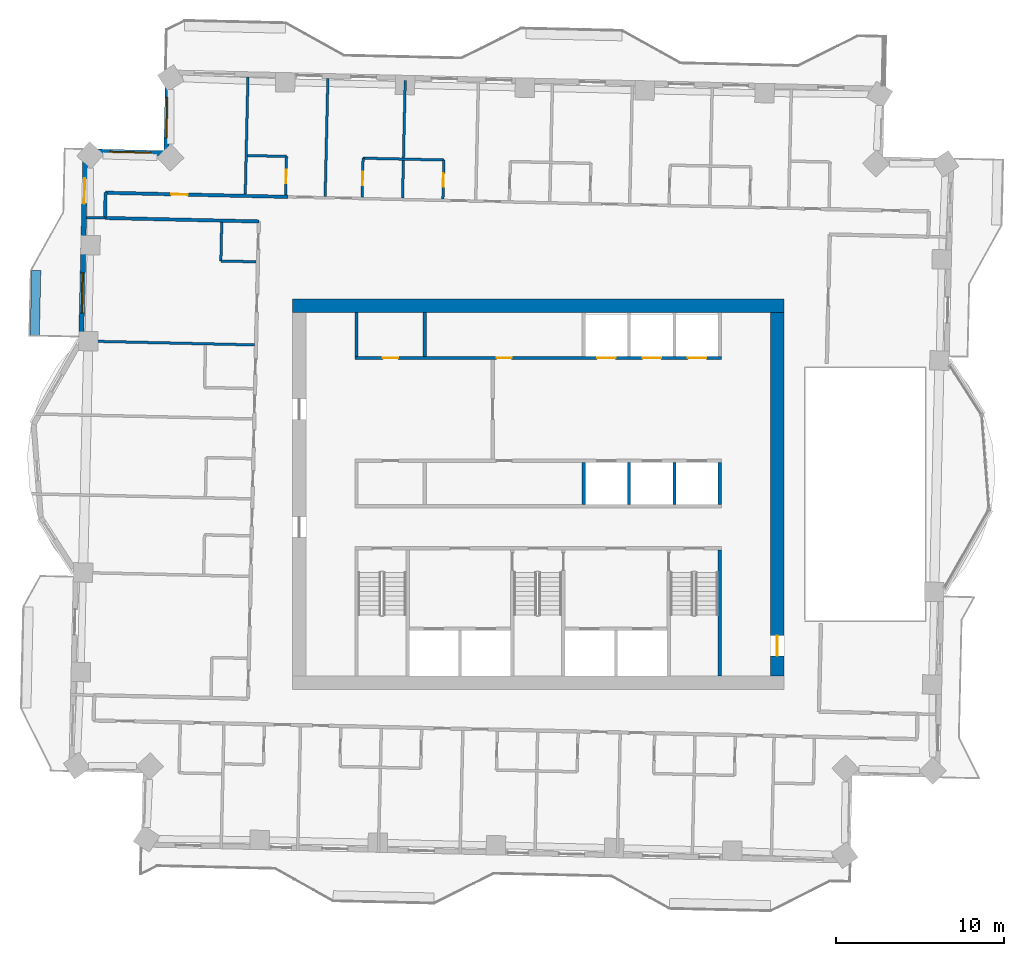
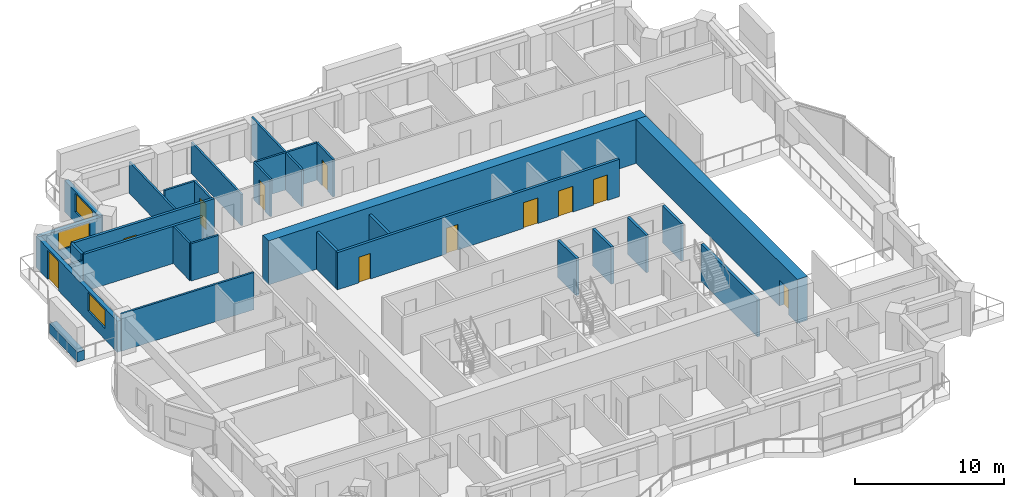
# One storey, part 10 of 16: 29 walls, 11 doors, 3 windows, 14 openings.
"""IFC4 building model written with IfcOpenShell, lengths in metres."""

import ifcopenshell
import ifcopenshell.guid

model = None  # the IFC model being written
_history = None  # IfcOwnerHistory: only IFC2X3 demands one
_inside = {}  # id of a spatial element -> (the spatial element, [elements in it])
_under = {}  # id of a project, library or spatial element -> (it, [spatial elements below it])
_declared = {}  # id of a project -> (the project, [libraries it declares])
_typed = {}  # id of a type object -> (the type object, [elements of that type])
_made_of = {}  # id of a material, layer set ... -> (it, [elements and type objects made of it])


def new_model(schema):
    """Start an empty IFC model of exactly this schema.

    Asked for "IFC4X3", IfcOpenShell would pick the latest addendum, in which some entities
    have other attributes; the version numbers below select the first issue.
    IFC2X3 requires an IfcOwnerHistory on every rooted entity: one is made here for all.
    """
    global model, _history
    if schema == "IFC4X3":
        model = ifcopenshell.file(schema_version=(4, 3, 0, 0))
    else:
        model = ifcopenshell.file(schema=schema)
    _inside.clear()
    _under.clear()
    _declared.clear()
    _typed.clear()
    _made_of.clear()
    _history = None
    if model.schema == "IFC2X3":
        org = make("IfcOrganization", Name="unknown")
        user = make(
            "IfcPersonAndOrganization",
            ThePerson=make("IfcPerson", FamilyName="unknown"),
            TheOrganization=org,
        )
        app = make(
            "IfcApplication",
            ApplicationDeveloper=org,
            Version="unknown",
            ApplicationFullName="unknown",
            ApplicationIdentifier="unknown",
        )
        _history = make(
            "IfcOwnerHistory",
            OwningUser=user,
            OwningApplication=app,
            ChangeAction="ADDED",
            CreationDate=0,
        )
    return model


def make(cls, **values):
    """One entity of the class cls with the attributes given. An attribute that is None is left unset."""
    return model.create_entity(
        cls, **{name: value for name, value in values.items() if value is not None}
    )


def rooted(cls, **values):
    """An entity with a GlobalId (a new one), such as an element, a storey or a relation."""
    return make(cls, GlobalId=ifcopenshell.guid.new(), OwnerHistory=_history, **values)


def si_unit(unit_type, name, prefix=None):
    """IfcSIUnit, for example si_unit("LENGTHUNIT", "METRE", prefix="MILLI")."""
    return make("IfcSIUnit", UnitType=unit_type, Prefix=prefix, Name=name)


def assignment(units):
    """IfcUnitAssignment: the units of a project."""
    return None if units is None else make("IfcUnitAssignment", Units=units)


def point(xyz):
    """IfcCartesianPoint."""
    return None if xyz is None else make("IfcCartesianPoint", Coordinates=xyz)


def direction(xyz):
    """IfcDirection."""
    return None if xyz is None else make("IfcDirection", DirectionRatios=xyz)


def frame(location, z_axis=None, x_axis=None):
    """IfcAxis2Placement3D, a coordinate frame: its origin and axes. An axis left out is left unset."""
    return make(
        "IfcAxis2Placement3D",
        Location=point(location),
        Axis=direction(z_axis),
        RefDirection=direction(x_axis),
    )


def frame_2d(location, x_axis=None):
    """IfcAxis2Placement2D, a coordinate frame in the plane: its origin and x axis."""
    return make(
        "IfcAxis2Placement2D", Location=point(location), RefDirection=direction(x_axis)
    )


def origin():
    """The frame at (0, 0, 0) with its axes left unset."""
    return frame((0.0, 0.0, 0.0))


def place(relative_to, where):
    """IfcLocalPlacement: puts the frame where relative to a parent placement (None: the world)."""
    return make(
        "IfcLocalPlacement", PlacementRelTo=relative_to, RelativePlacement=where
    )


def context(
    kind, dimensions, precision=None, world=None, true_north=None, identifier=None
):
    """IfcGeometricRepresentationContext, for example the 3D "Model" context."""
    return make(
        "IfcGeometricRepresentationContext",
        ContextIdentifier=identifier,
        ContextType=kind,
        CoordinateSpaceDimension=dimensions,
        Precision=precision,
        WorldCoordinateSystem=world,
        TrueNorth=true_north,
    )


def subcontext(parent, identifier, kind, view, scale=None):
    """IfcGeometricRepresentationSubContext, for example "Body" below "Model"."""
    return make(
        "IfcGeometricRepresentationSubContext",
        ContextIdentifier=identifier,
        ContextType=kind,
        ParentContext=parent,
        TargetScale=scale,
        TargetView=view,
    )


def project(units=None, contexts=None):
    """IfcProject with its units and contexts."""
    return rooted(
        "IfcProject",
        Name="project",
        RepresentationContexts=contexts,
        UnitsInContext=assignment(units),
    )


def spatial(cls, under=None, at=None, **own):
    """A site, building, storey or space (cls), placed at a placement, below another one or the project."""
    s = rooted(cls, ObjectPlacement=at, **own)
    if under is not None:
        _under.setdefault(under.id(), (under, []))[1].append(s)
    return s


def profile(cls, at=None, kind="AREA", **sizes):
    """A parametric profile (cls). Its sizes go by their IFC names, for example OverallWidth=200.0."""
    return make(cls, ProfileType=kind, Position=at, **sizes)


def rectangle(**sizes):
    """IfcRectangleProfileDef."""
    return profile("IfcRectangleProfileDef", **sizes)


def extrude(swept, where, along, depth):
    """IfcExtrudedAreaSolid: the profile swept, set in the frame where, extruded along a direction by depth."""
    return make(
        "IfcExtrudedAreaSolid",
        SweptArea=swept,
        Position=where,
        ExtrudedDirection=direction(along),
        Depth=depth,
    )


def shape(context_of_items, identifier, shape_type, items):
    """IfcShapeRepresentation: the items that make up one representation, for example the "Body"."""
    return make(
        "IfcShapeRepresentation",
        ContextOfItems=context_of_items,
        RepresentationIdentifier=identifier,
        RepresentationType=shape_type,
        Items=items,
    )


def material(Name=None, Category=None):
    """IfcMaterial."""
    return make("IfcMaterial", Name=Name, Category=Category)


def layer(
    of_material, thickness, ventilated=None, Name=None, Category=None, Priority=None
):
    """IfcMaterialLayer: one layer of a wall or slab, of a material (None: an air gap)."""
    return make(
        "IfcMaterialLayer",
        Material=of_material,
        LayerThickness=thickness,
        IsVentilated=ventilated,
        Name=Name,
        Category=Category,
        Priority=Priority,
    )


def layer_set(layers, Name=None):
    """IfcMaterialLayerSet."""
    return make("IfcMaterialLayerSet", MaterialLayers=layers, LayerSetName=Name)


def made_of(thing, what):
    """Note that an element or type object is made of a material, layer set ...; save() writes the relation."""
    if what is not None:
        _made_of.setdefault(what.id(), (what, []))[1].append(thing)
    return thing


def type_object(cls, material=None, **own):
    """A type object (cls), such as IfcWallType, which elements share."""
    return made_of(rooted(cls, **own), material)


def element(
    cls,
    number,
    at=None,
    inside=None,
    cuts=None,
    type_object=None,
    material=None,
    context=None,
    identifier="Body",
    shape_type=None,
    held_by="IfcProductDefinitionShape",
    body=None,
    shapes=None,
    **own,
):
    """One element of the class cls, such as IfcWall. Its Tag is "e" and its number.

    at: its placement. inside: the storey or other place that contains it. cuts: it is an
    opening in that element (IfcRelVoidsElement). A single representation is given by context,
    identifier, shape_type and body (its items); several are given by shapes. held_by: the class
    of the entity that holds the representations. save() writes the other relations.
    """
    e = rooted(cls, Tag="e%d" % number, ObjectPlacement=at, **own)
    if body is not None:
        shapes = [shape(context, identifier, shape_type, body)]
    if shapes is not None:
        e.Representation = make(held_by, Representations=shapes)
    if inside is not None:
        _inside.setdefault(inside.id(), (inside, []))[1].append(e)
    if cuts is not None:
        rooted(
            "IfcRelVoidsElement", RelatingBuildingElement=cuts, RelatedOpeningElement=e
        )
    if type_object is not None:
        _typed.setdefault(type_object.id(), (type_object, []))[1].append(e)
    return made_of(e, material)


def fill(opening, filler):
    """IfcRelFillsElement: the door or window that sits in an opening."""
    return rooted(
        "IfcRelFillsElement",
        RelatingOpeningElement=opening,
        RelatedBuildingElement=filler,
    )


def aggregate(whole, parts):
    """IfcRelAggregates: a whole, such as a stair, and the parts it consists of."""
    return rooted("IfcRelAggregates", RelatingObject=whole, RelatedObjects=parts)


def save(model, path):
    """Write the relations noted so far, then the file.

    IfcRelAggregates (storeys below a building ...), IfcRelContainedInSpatialStructure (elements
    in a storey), IfcRelDefinesByType, IfcRelAssociatesMaterial and IfcRelDeclares: one each for
    every whole, place, type object, material and project.
    """
    for whole, parts in _under.values():
        aggregate(whole, parts)
    for where, things in _inside.values():
        rooted(
            "IfcRelContainedInSpatialStructure",
            RelatedElements=things,
            RelatingStructure=where,
        )
    for kind, things in _typed.values():
        rooted("IfcRelDefinesByType", RelatedObjects=things, RelatingType=kind)
    for what, things in _made_of.values():
        rooted("IfcRelAssociatesMaterial", RelatedObjects=things, RelatingMaterial=what)
    for by, libraries in _declared.values():
        rooted("IfcRelDeclares", RelatingContext=by, RelatedDefinitions=libraries)
    model.write(path)


model = new_model("IFC4")

# Units and contexts
model_context = context("Model", 3, precision=1e-05, world=origin(), true_north=direction((0.0, 1.0)))
body_context = subcontext(model_context, "Body", "Model", "MODEL_VIEW")
ifc_project = project(units=[si_unit("LENGTHUNIT", "METRE"), si_unit("AREAUNIT", "SQUARE_METRE"), si_unit("VOLUMEUNIT", "CUBIC_METRE"), si_unit("PLANEANGLEUNIT", "RADIAN"), si_unit("MASSUNIT", "GRAM", prefix="KILO")], contexts=[model_context])

# Site, building, storey
site_placement = place(None, origin())
site = spatial("IfcSite", under=ifc_project, at=site_placement, CompositionType="ELEMENT")
building_placement = place(site_placement, origin())
building = spatial("IfcBuilding", under=site, at=building_placement, Name="Mangrove Gate Tower", CompositionType="ELEMENT")
storey_placement = place(building_placement, frame((0.0, 0.0, 197.89990234375)))
storey = spatial("IfcBuildingStorey", under=building, at=storey_placement, Name="L50", CompositionType="ELEMENT", Elevation=197.89990234375)

# Walls
ifc_material_1 = material(Name="Concrete C32/40", Category="concrete")
ifc_layer_1 = layer(ifc_material_1, 0.199951171875)
ifc_layer_set_1 = layer_set([ifc_layer_1], Name="Core room wall 200 C32/40")
wall_type_1 = type_object("IfcWallType", Name="Core room wall 200 C32/40", PredefinedType="STANDARD", material=ifc_layer_set_1)
for number, where, z_axis, x_axis, name in (
    (1, (-10.800048828125, 8.199951171875, 0.0), (0.0, 0.0, 1.0), (0.0, 1.0, 0.0), "WALL-L50-CORE-25"),
    (2, (-6.75, 8.199951171875, 0.0), (0.0, 0.0, 1.0), (0.0, 1.0, 0.0), "WALL-L50-CORE-26"),
):
    element("IfcWall", number, at=place(storey_placement, frame(where, z_axis=z_axis, x_axis=x_axis)), inside=storey, type_object=wall_type_1, Name=name, PredefinedType="STANDARD", context=body_context, shape_type="SweptSolid", body=[
        extrude(rectangle(XDim=2.60009765625, YDim=0.199951171875, at=frame_2d((1.300048828125, 0.0))), origin(), (0.0, 0.0, 1.0), 3.050048828125),
    ])

# Wall, openings, doors
ifc_material_2 = material(Name="Concrete C60/75", Category="concrete")
ifc_layer_2 = layer(ifc_material_2, 0.199951171875)
ifc_layer_set_2 = layer_set([ifc_layer_2], Name="Core shaft wall 200 C60/75")
wall_type_2 = type_object("IfcWallType", Name="Core shaft wall 200 C60/75", PredefinedType="SHEAR", material=ifc_layer_set_2)
wall_1_placement = place(storey_placement, frame((-10.89990234375, 8.10009765625, 0.0), z_axis=(0.0, 0.0, 1.0), x_axis=(1.0, 0.0, 0.0)))
wall_1 = element("IfcWall", 3, at=wall_1_placement, inside=storey, type_object=wall_type_2, Name="WALL-L50-CORE-8", PredefinedType="SHEAR", context=body_context, shape_type="SweptSolid", body=[
    extrude(rectangle(XDim=21.7998046875, YDim=0.199951171875, at=frame_2d((10.89990234375, 0.0))), origin(), (0.0, 0.0, 1.0), 3.050048828125),
])
opening_1_placement = place(wall_1_placement, frame((14.39990234375, 0.0, 0.0)))
opening_1 = element("IfcOpeningElement", 4, at=opening_1_placement, cuts=wall_1, Name="Opening LD", PredefinedType="OPENING", context=body_context, shape_type="SweptSolid", body=[
    extrude(rectangle(XDim=1.10009765625, YDim=2.10009765625, at=frame_2d((0.550048828125, 1.050048828125))), frame((0.0, 0.10986328125, 0.0), z_axis=(0.0, -1.0, 0.0), x_axis=(1.0, 0.0, 0.0)), (0.0, 0.0, 1.0), 0.219970703125),
])
opening_2_placement = place(wall_1_placement, frame((17.10009765625, 0.0, 0.0)))
opening_2 = element("IfcOpeningElement", 5, at=opening_2_placement, cuts=wall_1, Name="Opening LD", PredefinedType="OPENING", context=body_context, shape_type="SweptSolid", body=[
    extrude(rectangle(XDim=1.10009765625, YDim=2.10009765625, at=frame_2d((0.550048828125, 1.050048828125))), frame((0.0, 0.10986328125, 0.0), z_axis=(0.0, -1.0, 0.0), x_axis=(1.0, 0.0, 0.0)), (0.0, 0.0, 1.0), 0.219970703125),
])
opening_3_placement = place(wall_1_placement, frame((19.800048828125, 0.0, 0.0)))
opening_3 = element("IfcOpeningElement", 6, at=opening_3_placement, cuts=wall_1, Name="Opening LD", PredefinedType="OPENING", context=body_context, shape_type="SweptSolid", body=[
    extrude(rectangle(XDim=1.10009765625, YDim=2.10009765625, at=frame_2d((0.550048828125, 1.050048828125))), frame((0.0, 0.10986328125, 0.0), z_axis=(0.0, -1.0, 0.0), x_axis=(1.0, 0.0, 0.0)), (0.0, 0.0, 1.0), 0.219970703125),
])
opening_4_placement = place(wall_1_placement, frame((1.675048828125, 0.0, 0.0)))
opening_4 = element("IfcOpeningElement", 7, at=opening_4_placement, cuts=wall_1, Name="Opening KD", PredefinedType="OPENING", context=body_context, shape_type="SweptSolid", body=[
    extrude(rectangle(XDim=0.89990234375, YDim=2.10009765625, at=frame_2d((0.449951171875, 1.050048828125))), frame((0.0, 0.10986328125, 0.0), z_axis=(0.0, -1.0, 0.0), x_axis=(1.0, 0.0, 0.0)), (0.0, 0.0, 1.0), 0.219970703125),
])
opening_5_placement = place(wall_1_placement, frame((8.425048828125, 0.0, 0.0)))
opening_5 = element("IfcOpeningElement", 8, at=opening_5_placement, cuts=wall_1, Name="Opening RD", PredefinedType="OPENING", context=body_context, shape_type="SweptSolid", body=[
    extrude(rectangle(XDim=0.89990234375, YDim=2.10009765625, at=frame_2d((0.449951171875, 1.050048828125))), frame((0.0, 0.10986328125, 0.0), z_axis=(0.0, -1.0, 0.0), x_axis=(1.0, 0.0, 0.0)), (0.0, 0.0, 1.0), 0.219970703125),
])
ifc_material_3 = material(Name="Fire-rated steel door set", Category="steel")
door_type_1 = type_object("IfcDoorType", Name="Core room door FD30S 900x2100", OperationType="SINGLE_SWING_RIGHT", PredefinedType="DOOR", material=ifc_material_3)
door_1_placement = place(opening_4_placement, origin())
door_1 = element("IfcDoor", 9, at=door_1_placement, inside=storey, type_object=door_type_1, Name="Core room door Linen store", OperationType="SINGLE_SWING_RIGHT", OverallHeight=2.10009765625, OverallWidth=0.89990234375, PredefinedType="DOOR", context=body_context, shape_type="SweptSolid", body=[
    extrude(rectangle(XDim=0.89990234375, YDim=2.10009765625, at=frame_2d((0.449951171875, 1.050048828125))), frame((0.0, 0.02490234375, 0.0), z_axis=(0.0, -1.0, 0.0), x_axis=(1.0, 0.0, 0.0)), (0.0, 0.0, 1.0), 0.050048828125),
])
fill(opening_4, door_1)
ifc_material_4 = material(Name="Stainless steel 316", Category="steel")
door_type_2 = type_object("IfcDoorType", Name="Lift landing door 1100x2100", OperationType="SLIDING_TO_LEFT", PredefinedType="DOOR", material=ifc_material_4)
door_2_placement = place(opening_1_placement, origin())
door_2 = element("IfcDoor", 10, at=door_2_placement, inside=storey, type_object=door_type_2, Name="Landing door LD M04", OperationType="SLIDING_TO_LEFT", OverallHeight=2.10009765625, OverallWidth=1.10009765625, PredefinedType="DOOR", context=body_context, shape_type="SweptSolid", body=[
    extrude(rectangle(XDim=1.10009765625, YDim=2.10009765625, at=frame_2d((0.550048828125, 1.050048828125))), frame((0.0, 0.02490234375, 0.0), z_axis=(0.0, -1.0, 0.0), x_axis=(1.0, 0.0, 0.0)), (0.0, 0.0, 1.0), 0.050048828125),
])
fill(opening_1, door_2)
door_3_placement = place(opening_2_placement, origin())
door_3 = element("IfcDoor", 11, at=door_3_placement, inside=storey, type_object=door_type_2, Name="Landing door LD M05", OperationType="SLIDING_TO_LEFT", OverallHeight=2.10009765625, OverallWidth=1.10009765625, PredefinedType="DOOR", context=body_context, shape_type="SweptSolid", body=[
    extrude(rectangle(XDim=1.10009765625, YDim=2.10009765625, at=frame_2d((0.550048828125, 1.050048828125))), frame((0.0, 0.02490234375, 0.0), z_axis=(0.0, -1.0, 0.0), x_axis=(1.0, 0.0, 0.0)), (0.0, 0.0, 1.0), 0.050048828125),
])
fill(opening_2, door_3)
door_4_placement = place(opening_3_placement, origin())
door_4 = element("IfcDoor", 12, at=door_4_placement, inside=storey, type_object=door_type_2, Name="Landing door LD M06", OperationType="SLIDING_TO_LEFT", OverallHeight=2.10009765625, OverallWidth=1.10009765625, PredefinedType="DOOR", context=body_context, shape_type="SweptSolid", body=[
    extrude(rectangle(XDim=1.10009765625, YDim=2.10009765625, at=frame_2d((0.550048828125, 1.050048828125))), frame((0.0, 0.02490234375, 0.0), z_axis=(0.0, -1.0, 0.0), x_axis=(1.0, 0.0, 0.0)), (0.0, 0.0, 1.0), 0.050048828125),
])
fill(opening_3, door_4)
ifc_material_5 = material(Name="Fire-rated steel door set", Category="steel")
door_type_3 = type_object("IfcDoorType", Name="Riser door FD30S 900x2100", OperationType="SINGLE_SWING_LEFT", PredefinedType="DOOR", material=ifc_material_5)
door_5_placement = place(opening_5_placement, origin())
door_5 = element("IfcDoor", 13, at=door_5_placement, inside=storey, type_object=door_type_3, Name="Riser door Switch room", OperationType="SINGLE_SWING_LEFT", OverallHeight=2.10009765625, OverallWidth=0.89990234375, PredefinedType="DOOR", context=body_context, shape_type="SweptSolid", body=[
    extrude(rectangle(XDim=0.89990234375, YDim=2.10009765625, at=frame_2d((0.449951171875, 1.050048828125))), frame((0.0, 0.02490234375, 0.0), z_axis=(0.0, -1.0, 0.0), x_axis=(1.0, 0.0, 0.0)), (0.0, 0.0, 1.0), 0.050048828125),
])
fill(opening_5, door_5)

# Walls
for number, where, z_axis, x_axis, name in (
    (14, (2.699951171875, -0.60009765625, 0.0), (0.0, 0.0, 1.0), (0.0, 1.0, 0.0), "WALL-L50-CORE-21"),
    (15, (5.39990234375, -0.60009765625, 0.0), (0.0, 0.0, 1.0), (0.0, 1.0, 0.0), "WALL-L50-CORE-22"),
    (16, (8.10009765625, -0.60009765625, 0.0), (0.0, 0.0, 1.0), (0.0, 1.0, 0.0), "WALL-L50-CORE-23"),
    (17, (10.800048828125, -0.60009765625, 0.0), (0.0, 0.0, 1.0), (0.0, 1.0, 0.0), "WALL-L50-CORE-24"),
):
    element("IfcWall", number, at=place(storey_placement, frame(where, z_axis=z_axis, x_axis=x_axis)), inside=storey, type_object=wall_type_2, Name=name, PredefinedType="SHEAR", context=body_context, shape_type="SweptSolid", body=[
        extrude(rectangle(XDim=2.5, YDim=0.199951171875, at=frame_2d((1.25, 0.0))), origin(), (0.0, 0.0, 1.0), 3.050048828125),
    ])
ifc_material_6 = material(Name="Concrete C60/75", Category="concrete")
ifc_layer_3 = layer(ifc_material_6, 0.199951171875)
ifc_layer_set_3 = layer_set([ifc_layer_3], Name="Core stair wall 200 C60/75")
wall_type_3 = type_object("IfcWallType", Name="Core stair wall 200 C60/75", PredefinedType="SHEAR", material=ifc_layer_set_3)
wall_2_placement = place(storey_placement, frame((10.800048828125, -10.800048828125, 0.0), z_axis=(0.0, 0.0, 1.0), x_axis=(0.0, 1.0, 0.0)))
element("IfcWall", 18, at=wall_2_placement, inside=storey, type_object=wall_type_3, Name="WALL-L50-CORE-14", PredefinedType="SHEAR", context=body_context, shape_type="SweptSolid", body=[
    extrude(rectangle(XDim=7.5, YDim=0.199951171875, at=frame_2d((3.75, 0.0))), origin(), (0.0, 0.0, 1.0), 3.050048828125),
])
ifc_material_7 = material(Name="Concrete C60/75", Category="concrete")
ifc_layer_4 = layer(ifc_material_7, 0.800048828125)
ifc_layer_set_4 = layer_set([ifc_layer_4], Name="Core wall 800 C60/75")
wall_type_4 = type_object("IfcWallType", Name="Core wall 800 C60/75", PredefinedType="SHEAR", material=ifc_layer_set_4)
wall_3_placement = place(storey_placement, frame((-14.60009765625, 11.199951171875, 0.0), z_axis=(0.0, 0.0, 1.0), x_axis=(1.0, 0.0, 0.0)))
element("IfcWall", 19, at=wall_3_placement, inside=storey, type_object=wall_type_4, Name="WALL-L50-CORE-2", PredefinedType="SHEAR", context=body_context, shape_type="SweptSolid", body=[
    extrude(rectangle(XDim=29.2001953125, YDim=0.800048828125, at=frame_2d((14.60009765625, 0.0))), origin(), (0.0, 0.0, 1.0), 3.60009765625),
])

# Wall, opening, door
wall_4_placement = place(storey_placement, frame((14.199951171875, -10.800048828125, 0.0), z_axis=(0.0, 0.0, 1.0), x_axis=(0.0, 1.0, 0.0)))
wall_4 = element("IfcWall", 20, at=wall_4_placement, inside=storey, type_object=wall_type_4, Name="WALL-L50-CORE-4", PredefinedType="SHEAR", context=body_context, shape_type="SweptSolid", body=[
    extrude(rectangle(XDim=21.60009765625, YDim=0.800048828125, at=frame_2d((10.800048828125, 0.0))), origin(), (0.0, 0.0, 1.0), 3.60009765625),
])
opening_6_placement = place(wall_4_placement, frame((1.199951171875, 0.0, 0.0)))
opening_6 = element("IfcOpeningElement", 21, at=opening_6_placement, cuts=wall_4, Name="Opening CD", PredefinedType="OPENING", context=body_context, shape_type="SweptSolid", body=[
    extrude(rectangle(XDim=1.199951171875, YDim=2.10009765625, at=frame_2d((0.60009765625, 1.050048828125))), frame((0.0, 0.409912109375, 0.0), z_axis=(0.0, -1.0, 0.0), x_axis=(1.0, 0.0, 0.0)), (0.0, 0.0, 1.0), 0.820068359375),
])
ifc_material_8 = material(Name="Fire-rated steel door set", Category="steel")
door_type_4 = type_object("IfcDoorType", Name="Core ring door FD60 1200x2100", OperationType="DOUBLE_DOOR_SINGLE_SWING", PredefinedType="DOOR", material=ifc_material_8)
door_6_placement = place(opening_6_placement, origin())
door_6 = element("IfcDoor", 22, at=door_6_placement, inside=storey, type_object=door_type_4, Name="Core ring door E1", OperationType="DOUBLE_DOOR_SINGLE_SWING", OverallHeight=2.10009765625, OverallWidth=1.199951171875, PredefinedType="DOOR", context=body_context, shape_type="SweptSolid", body=[
    extrude(rectangle(XDim=1.199951171875, YDim=2.10009765625, at=frame_2d((0.60009765625, 1.050048828125))), frame((0.0, 0.02490234375, 0.0), z_axis=(0.0, -1.0, 0.0), x_axis=(1.0, 0.0, 0.0)), (0.0, 0.0, 1.0), 0.050048828125),
])
fill(opening_6, door_6)

# Walls
ifc_material_9 = material(Name="Gypsum board on steel stud, EI 60", Category="steel")
ifc_layer_5 = layer(ifc_material_9, 0.199951171875)
ifc_layer_set_5 = layer_set([ifc_layer_5], Name="Corridor wall EI 60")
wall_type_5 = type_object("IfcWallType", Name="Corridor wall EI 60", PredefinedType="PARTITIONING", material=ifc_layer_set_5)
wall_5_placement = place(storey_placement, frame((-25.742919921875, 16.422119140625, 0.0), z_axis=(0.0, 0.0, 1.0), x_axis=(0.999741076645, -0.022754772455, 0.0)))
element("IfcWall", 23, at=wall_5_placement, inside=storey, type_object=wall_type_5, Name="WALL-L50-049", PredefinedType="PARTITIONING", context=body_context, shape_type="SweptSolid", body=[
    extrude(rectangle(XDim=9.141357421875, YDim=0.199951171875, at=frame_2d((4.57080078125, 0.0))), origin(), (0.0, 0.0, 1.0), 3.050048828125),
])
wall_6_placement = place(storey_placement, frame((-25.740966796875, 16.425048828125, 0.0), z_axis=(0.0, 0.0, 1.0), x_axis=(0.022617910375, 0.999744182344, 0.0)))
element("IfcWall", 24, at=wall_6_placement, inside=storey, type_object=wall_type_5, Name="WALL-L50-052", PredefinedType="PARTITIONING", context=body_context, shape_type="SweptSolid", body=[
    extrude(rectangle(XDim=1.50048828125, YDim=0.199951171875, at=frame_2d((0.750244140625, 0.0))), origin(), (0.0, 0.0, 1.0), 3.050048828125),
])

# Wall, opening, door
wall_7_placement = place(storey_placement, frame((-25.708984375, 17.9208984375, 0.0), z_axis=(0.0, 0.0, 1.0), x_axis=(0.999742764922, -0.022680475901, 0.0)))
wall_7 = element("IfcWall", 25, at=wall_7_placement, inside=storey, type_object=wall_type_5, Name="WALL-L50-054", PredefinedType="PARTITIONING", context=body_context, shape_type="SweptSolid", body=[
    extrude(rectangle(XDim=10.839599609375, YDim=0.199951171875, at=frame_2d((5.419921875, 0.0))), origin(), (0.0, 0.0, 1.0), 3.050048828125),
])
opening_7_placement = place(wall_7_placement, frame((3.89306640625, 0.0, 0.0)))
opening_7 = element("IfcOpeningElement", 26, at=opening_7_placement, cuts=wall_7, Name="Opening AD", PredefinedType="OPENING", context=body_context, shape_type="SweptSolid", body=[
    extrude(rectangle(XDim=1.0, YDim=2.10009765625, at=frame_2d((0.5, 1.050048828125))), frame((0.0, 0.10986328125, 0.0), z_axis=(0.0, -1.0, 0.0), x_axis=(1.0, 0.0, 0.0)), (0.0, 0.0, 1.0), 0.219970703125),
])
ifc_material_10 = material(Name="Timber door leaf", Category="wood")
door_type_5 = type_object("IfcDoorType", Name="Amenity door 1000", OperationType="SINGLE_SWING_LEFT", PredefinedType="DOOR", material=ifc_material_10)
door_7_placement = place(opening_7_placement, origin())
door_7 = element("IfcDoor", 27, at=door_7_placement, inside=storey, type_object=door_type_5, Name="DOOR-L50-GAM-c5a", OperationType="SINGLE_SWING_RIGHT", OverallHeight=2.10009765625, OverallWidth=1.0, PredefinedType="DOOR", context=body_context, shape_type="SweptSolid", body=[
    extrude(rectangle(XDim=1.0, YDim=2.10009765625, at=frame_2d((0.5, 1.050048828125))), frame((0.0, 0.02490234375, 0.0), z_axis=(0.0, -1.0, 0.0), x_axis=(1.0, 0.0, 0.0)), (0.0, 0.0, 1.0), 0.050048828125),
])
fill(opening_7, door_7)

# Wall, opening, window
ifc_material_11 = material(Name="Limestone", Category="masonry")
ifc_layer_6 = layer(ifc_material_11, 0.0400390625, Name="Limestone cladding")
ifc_material_12 = material(Name="Ventilated air gap")
ifc_layer_7 = layer(ifc_material_12, 0.0400390625, Name="Ventilated cavity")
ifc_material_13 = material(Name="Mineral wool insulation")
ifc_layer_8 = layer(ifc_material_13, 0.06005859375, Name="Insulation")
ifc_material_14 = material(Name="Breather membrane")
ifc_layer_9 = layer(ifc_material_14, 0.001953125, Name="Breather membrane")
ifc_material_15 = material(Name="Concrete C20/25 blockwork", Category="masonry")
ifc_layer_10 = layer(ifc_material_15, 0.14990234375, Name="Blockwork backing wall")
ifc_material_16 = material(Name="Gypsum plaster")
ifc_layer_11 = layer(ifc_material_16, 0.008056640625, Name="Internal plaster")
ifc_layer_set_6 = layer_set([ifc_layer_6, ifc_layer_7, ifc_layer_8, ifc_layer_9, ifc_layer_10, ifc_layer_11], Name="External wall 300 limestone cladding")
wall_type_6 = type_object("IfcWallType", Name="External wall 300 limestone cladding", PredefinedType="SOLIDWALL", material=ifc_layer_set_6)
wall_8_placement = place(storey_placement, frame((-21.99609375, 25.069091796875, 0.0), z_axis=(0.0, 0.0, 1.0), x_axis=(-0.022683280499, -0.999742701292, 0.0)))
wall_8 = element("IfcWall", 28, at=wall_8_placement, inside=storey, type_object=wall_type_6, Name="WALL-L50-W6", PredefinedType="SOLIDWALL", context=body_context, shape_type="SweptSolid", body=[
    extrude(rectangle(XDim=4.80029296875, YDim=0.300048828125, at=frame_2d((2.400146484375, 0.0))), origin(), (0.0, 0.0, 1.0), 2.550048828125),
])
opening_8_placement = place(wall_8_placement, frame((1.48388671875, 0.0, 0.89990234375)))
opening_8 = element("IfcOpeningElement", 29, at=opening_8_placement, cuts=wall_8, Name="Opening W2", PredefinedType="OPENING", context=body_context, shape_type="SweptSolid", body=[
    extrude(rectangle(XDim=2.39990234375, YDim=1.5, at=frame_2d((1.199951171875, 0.75))), frame((0.0, 0.159912109375, 0.0), z_axis=(0.0, -1.0, 0.0), x_axis=(1.0, 0.0, 0.0)), (0.0, 0.0, 1.0), 0.320068359375),
])
ifc_material_17 = material(Name="Aluminium frame with double-glazed low-e glass", Category="aluminium")
window_type = type_object("IfcWindowType", Name="Corner room window 2400x1500", PartitioningType="DOUBLE_PANEL_VERTICAL", PredefinedType="WINDOW", material=ifc_material_17)
window_1_placement = place(opening_8_placement, origin())
window_1 = element("IfcWindow", 30, at=window_1_placement, inside=storey, type_object=window_type, Name="WIN-L50-W6-1", OverallHeight=1.5, OverallWidth=2.39990234375, PartitioningType="DOUBLE_PANEL_VERTICAL", PredefinedType="WINDOW", context=body_context, shape_type="SweptSolid", body=[
    extrude(rectangle(XDim=2.39990234375, YDim=1.5, at=frame_2d((1.199951171875, 0.75))), frame((0.0, 0.030029296875, 0.0), z_axis=(0.0, -1.0, 0.0), x_axis=(1.0, 0.0, 0.0)), (0.0, 0.0, 1.0), 0.06005859375),
])
fill(opening_8, window_1)

wall_9_placement = place(storey_placement, frame((-22.10498046875, 20.27001953125, 0.0), z_axis=(0.0, 0.0, 1.0), x_axis=(-0.999742701292, 0.022683280499, 0.0)))
wall_9 = element("IfcWall", 31, at=wall_9_placement, inside=storey, type_object=wall_type_6, Name="WALL-L50-N7", PredefinedType="SOLIDWALL", context=body_context, shape_type="SweptSolid", body=[
    extrude(rectangle(XDim=4.80029296875, YDim=0.300048828125, at=frame_2d((2.400146484375, 0.0))), origin(), (0.0, 0.0, 1.0), 2.550048828125),
])
opening_9_placement = place(wall_9_placement, frame((0.927978515625, 0.0, 0.89990234375)))
opening_9 = element("IfcOpeningElement", 32, at=opening_9_placement, cuts=wall_9, Name="Opening W2", PredefinedType="OPENING", context=body_context, shape_type="SweptSolid", body=[
    extrude(rectangle(XDim=2.39990234375, YDim=1.5, at=frame_2d((1.199951171875, 0.75))), frame((0.0, 0.159912109375, 0.0), z_axis=(0.0, -1.0, 0.0), x_axis=(1.0, 0.0, 0.0)), (0.0, 0.0, 1.0), 0.320068359375),
])
window_2_placement = place(opening_9_placement, origin())
window_2 = element("IfcWindow", 33, at=window_2_placement, inside=storey, type_object=window_type, Name="WIN-L50-N7-1", OverallHeight=1.5, OverallWidth=2.39990234375, PartitioningType="DOUBLE_PANEL_VERTICAL", PredefinedType="WINDOW", context=body_context, shape_type="SweptSolid", body=[
    extrude(rectangle(XDim=2.39990234375, YDim=1.5, at=frame_2d((1.199951171875, 0.75))), frame((0.0, 0.030029296875, 0.0), z_axis=(0.0, -1.0, 0.0), x_axis=(1.0, 0.0, 0.0)), (0.0, 0.0, 1.0), 0.06005859375),
])
fill(opening_9, window_2)

# Wall, openings, door, window
wall_10_placement = place(storey_placement, frame((-26.904052734375, 20.37890625, 0.0), z_axis=(0.0, 0.0, 1.0), x_axis=(-0.022669030322, -0.999743024514, 0.0)))
wall_10 = element("IfcWall", 34, at=wall_10_placement, inside=storey, type_object=wall_type_6, Name="WALL-L50-W8", PredefinedType="SOLIDWALL", context=body_context, shape_type="SweptSolid", body=[
    extrude(rectangle(XDim=11.329833984375, YDim=0.300048828125, at=frame_2d((5.6650390625, 0.0))), origin(), (0.0, 0.0, 1.0), 2.550048828125),
])
opening_10_placement = place(wall_10_placement, frame((1.60302734375, 0.0, 0.0)))
opening_10 = element("IfcOpeningElement", 35, at=opening_10_placement, cuts=wall_10, Name="Opening BD1", PredefinedType="OPENING", context=body_context, shape_type="SweptSolid", body=[
    extrude(rectangle(XDim=1.5, YDim=2.39990234375, at=frame_2d((0.75, 1.199951171875))), frame((0.0, 0.159912109375, 0.0), z_axis=(0.0, -1.0, 0.0), x_axis=(1.0, 0.0, 0.0)), (0.0, 0.0, 1.0), 0.320068359375),
])
opening_11_placement = place(wall_10_placement, frame((7.218017578125, 0.0, 0.89990234375)))
opening_11 = element("IfcOpeningElement", 36, at=opening_11_placement, cuts=wall_10, Name="Opening W2", PredefinedType="OPENING", context=body_context, shape_type="SweptSolid", body=[
    extrude(rectangle(XDim=2.39990234375, YDim=1.5, at=frame_2d((1.199951171875, 0.75))), frame((0.0, 0.159912109375, 0.0), z_axis=(0.0, -1.0, 0.0), x_axis=(1.0, 0.0, 0.0)), (0.0, 0.0, 1.0), 0.320068359375),
])
ifc_material_18 = material(Name="Aluminium frame with laminated clear glass", Category="aluminium")
door_type_6 = type_object("IfcDoorType", Name="Balcony sliding door 1500x2400", OperationType="SLIDING_TO_LEFT", PredefinedType="DOOR", material=ifc_material_18)
door_8_placement = place(opening_10_placement, origin())
door_8 = element("IfcDoor", 37, at=door_8_placement, inside=storey, type_object=door_type_6, Name="DOOR-L50-W8-1", OperationType="SLIDING_TO_LEFT", OverallHeight=2.39990234375, OverallWidth=1.5, PredefinedType="DOOR", context=body_context, shape_type="SweptSolid", body=[
    extrude(rectangle(XDim=1.5, YDim=2.39990234375, at=frame_2d((0.75, 1.199951171875))), frame((0.0, 0.02490234375, 0.0), z_axis=(0.0, -1.0, 0.0), x_axis=(1.0, 0.0, 0.0)), (0.0, 0.0, 1.0), 0.050048828125),
])
fill(opening_10, door_8)
window_3_placement = place(opening_11_placement, origin())
window_3 = element("IfcWindow", 38, at=window_3_placement, inside=storey, type_object=window_type, Name="WIN-L50-W8-2", OverallHeight=1.5, OverallWidth=2.39990234375, PartitioningType="DOUBLE_PANEL_VERTICAL", PredefinedType="WINDOW", context=body_context, shape_type="SweptSolid", body=[
    extrude(rectangle(XDim=2.39990234375, YDim=1.5, at=frame_2d((1.199951171875, 0.75))), frame((0.0, 0.030029296875, 0.0), z_axis=(0.0, -1.0, 0.0), x_axis=(1.0, 0.0, 0.0)), (0.0, 0.0, 1.0), 0.06005859375),
])
fill(opening_11, window_3)

# Walls
ifc_material_19 = material(Name="Gypsum board on steel stud, EI 60", Category="steel")
ifc_layer_12 = layer(ifc_material_19, 0.14990234375)
ifc_layer_set_7 = layer_set([ifc_layer_12], Name="Party wall 150 EI 60")
wall_type_7 = type_object("IfcWallType", Name="Party wall 150 EI 60", PredefinedType="PARTITIONING", material=ifc_layer_set_7)
wall_11_placement = place(storey_placement, frame((-27.010009765625, 9.10791015625, 0.0), z_axis=(0.0, 0.0, 1.0), x_axis=(0.999742841246, -0.022677111331, 0.0)))
element("IfcWall", 39, at=wall_11_placement, inside=storey, type_object=wall_type_7, Name="WALL-L50-045", PredefinedType="PARTITIONING", context=body_context, shape_type="SweptSolid", body=[
    extrude(rectangle(XDim=10.1416015625, YDim=0.14990234375, at=frame_2d((5.07080078125, 0.0))), origin(), (0.0, 0.0, 1.0), 3.050048828125),
])
wall_12_placement = place(storey_placement, frame((-18.85791015625, 13.864990234375, 0.0), z_axis=(0.0, 0.0, 1.0), x_axis=(0.999737555419, -0.022908956429, 0.0)))
element("IfcWall", 40, at=wall_12_placement, inside=storey, type_object=wall_type_7, Name="WALL-L50-046", PredefinedType="PARTITIONING", context=body_context, shape_type="SweptSolid", body=[
    extrude(rectangle(XDim=2.099365234375, YDim=0.14990234375, at=frame_2d((1.0498046875, 0.0))), origin(), (0.0, 0.0, 1.0), 3.050048828125),
])
wall_13_placement = place(storey_placement, frame((-18.85693359375, 13.868896484375, 0.0), z_axis=(0.0, 0.0, 1.0), x_axis=(0.022612884682, 0.999744296031, 0.0)))
element("IfcWall", 41, at=wall_13_placement, inside=storey, type_object=wall_type_7, Name="WALL-L50-047", PredefinedType="PARTITIONING", context=body_context, shape_type="SweptSolid", body=[
    extrude(rectangle(XDim=2.299560546875, YDim=0.14990234375, at=frame_2d((1.14990234375, 0.0))), origin(), (0.0, 0.0, 1.0), 3.050048828125),
])
wall_14_placement = place(storey_placement, frame((-26.843017578125, 16.447021484375, 0.0), z_axis=(0.0, 0.0, 1.0), x_axis=(0.999720170098, -0.023655475055, 0.0)))
element("IfcWall", 42, at=wall_14_placement, inside=storey, type_object=wall_type_7, Name="WALL-L50-048", PredefinedType="PARTITIONING", context=body_context, shape_type="SweptSolid", body=[
    extrude(rectangle(XDim=1.104248046875, YDim=0.14990234375, at=frame_2d((0.55224609375, 0.0))), origin(), (0.0, 0.0, 1.0), 2.550048828125),
])
wall_15_placement = place(storey_placement, frame((-17.406982421875, 17.8369140625, 0.0), z_axis=(0.0, 0.0, 1.0), x_axis=(0.022643496158, 0.999743603171, 0.0)))
element("IfcWall", 43, at=wall_15_placement, inside=storey, type_object=wall_type_7, Name="WALL-L50-057", PredefinedType="PARTITIONING", context=body_context, shape_type="SweptSolid", body=[
    extrude(rectangle(XDim=6.975830078125, YDim=0.14990234375, at=frame_2d((3.48779296875, 0.0))), origin(), (0.0, 0.0, 1.0), 2.550048828125),
])

# Wall, opening, door
wall_16_placement = place(storey_placement, frame((-15.007080078125, 17.781982421875, 0.0), z_axis=(0.0, 0.0, 1.0), x_axis=(0.022603288534, 0.999744513037, 0.0)))
wall_16 = element("IfcWall", 44, at=wall_16_placement, inside=storey, type_object=wall_type_7, Name="WALL-L50-058", PredefinedType="PARTITIONING", context=body_context, shape_type="SweptSolid", body=[
    extrude(rectangle(XDim=2.300537109375, YDim=0.14990234375, at=frame_2d((1.150390625, 0.0))), origin(), (0.0, 0.0, 1.0), 3.050048828125),
])
opening_12_placement = place(wall_16_placement, frame((0.699951171875, 0.0, 0.0)))
opening_12 = element("IfcOpeningElement", 45, at=opening_12_placement, cuts=wall_16, Name="Opening ED", PredefinedType="OPENING", context=body_context, shape_type="SweptSolid", body=[
    extrude(rectangle(XDim=0.800048828125, YDim=2.10009765625, at=frame_2d((0.39990234375, 1.050048828125))), frame((0.0, 0.0849609375, 0.0), z_axis=(0.0, -1.0, 0.0), x_axis=(1.0, 0.0, 0.0)), (0.0, 0.0, 1.0), 0.169921875),
])
ifc_material_20 = material(Name="Timber door leaf", Category="wood")
door_type_7 = type_object("IfcDoorType", Name="En-suite door 800", OperationType="SINGLE_SWING_LEFT", PredefinedType="DOOR", material=ifc_material_20)
door_9_placement = place(opening_12_placement, origin())
door_9 = element("IfcDoor", 46, at=door_9_placement, inside=storey, type_object=door_type_7, Name="DOOR-L50-ENS-c514", OperationType="SINGLE_SWING_RIGHT", OverallHeight=2.10009765625, OverallWidth=0.800048828125, PredefinedType="DOOR", context=body_context, shape_type="SweptSolid", body=[
    extrude(rectangle(XDim=0.800048828125, YDim=2.10009765625, at=frame_2d((0.39990234375, 1.050048828125))), frame((0.0, 0.02490234375, 0.0), z_axis=(0.0, -1.0, 0.0), x_axis=(1.0, 0.0, 0.0)), (0.0, 0.0, 1.0), 0.050048828125),
])
fill(opening_12, door_9)

# Wall
wall_17_placement = place(storey_placement, frame((-12.658935546875, 17.7041015625, 0.0), z_axis=(0.0, 0.0, 1.0), x_axis=(0.022703185001, 0.999742249478, 0.0)))
element("IfcWall", 47, at=wall_17_placement, inside=storey, type_object=wall_type_7, Name="WALL-L50-059", PredefinedType="PARTITIONING", context=body_context, shape_type="SweptSolid", body=[
    extrude(rectangle(XDim=7.00048828125, YDim=0.14990234375, at=frame_2d((3.500244140625, 0.0))), origin(), (0.0, 0.0, 1.0), 2.550048828125),
])

# Wall, opening, door
wall_18_placement = place(storey_placement, frame((-10.458984375, 17.654052734375, 0.0), z_axis=(0.0, 0.0, 1.0), x_axis=(0.022781023197, 0.999740478815, 0.0)))
wall_18 = element("IfcWall", 48, at=wall_18_placement, inside=storey, type_object=wall_type_7, Name="WALL-L50-060", PredefinedType="PARTITIONING", context=body_context, shape_type="SweptSolid", body=[
    extrude(rectangle(XDim=2.325439453125, YDim=0.14990234375, at=frame_2d((1.16259765625, 0.0))), origin(), (0.0, 0.0, 1.0), 3.050048828125),
])
opening_13_placement = place(wall_18_placement, frame((0.72509765625, 0.0, 0.0)))
opening_13 = element("IfcOpeningElement", 49, at=opening_13_placement, cuts=wall_18, Name="Opening ED", PredefinedType="OPENING", context=body_context, shape_type="SweptSolid", body=[
    extrude(rectangle(XDim=0.800048828125, YDim=2.10009765625, at=frame_2d((0.39990234375, 1.050048828125))), frame((0.0, 0.0849609375, 0.0), z_axis=(0.0, -1.0, 0.0), x_axis=(1.0, 0.0, 0.0)), (0.0, 0.0, 1.0), 0.169921875),
])
door_10_placement = place(opening_13_placement, origin())
door_10 = element("IfcDoor", 50, at=door_10_placement, inside=storey, type_object=door_type_7, Name="DOOR-L50-ENS-c513", OperationType="SINGLE_SWING_LEFT", OverallHeight=2.10009765625, OverallWidth=0.800048828125, PredefinedType="DOOR", context=body_context, shape_type="SweptSolid", body=[
    extrude(rectangle(XDim=0.800048828125, YDim=2.10009765625, at=frame_2d((0.39990234375, 1.050048828125))), frame((0.0, 0.02490234375, 0.0), z_axis=(0.0, -1.0, 0.0), x_axis=(1.0, 0.0, 0.0)), (0.0, 0.0, 1.0), 0.050048828125),
])
fill(opening_13, door_10)

# Wall
wall_19_placement = place(storey_placement, frame((-8.06005859375, 17.60009765625, 0.0), z_axis=(0.0, 0.0, 1.0), x_axis=(0.022737248567, 0.999741475346, 0.0)))
element("IfcWall", 51, at=wall_19_placement, inside=storey, type_object=wall_type_7, Name="WALL-L50-061", PredefinedType="PARTITIONING", context=body_context, shape_type="SweptSolid", body=[
    extrude(rectangle(XDim=7.000732421875, YDim=0.14990234375, at=frame_2d((3.50048828125, 0.0))), origin(), (0.0, 0.0, 1.0), 3.050048828125),
])

# Wall, opening, door
wall_20_placement = place(storey_placement, frame((-5.659912109375, 17.544921875, 0.0), z_axis=(0.0, 0.0, 1.0), x_axis=(0.022358961731, 0.999750007167, 0.0)))
wall_20 = element("IfcWall", 52, at=wall_20_placement, inside=storey, type_object=wall_type_7, Name="WALL-L50-062", PredefinedType="PARTITIONING", context=body_context, shape_type="SweptSolid", body=[
    extrude(rectangle(XDim=2.32568359375, YDim=0.14990234375, at=frame_2d((1.162841796875, 0.0))), origin(), (0.0, 0.0, 1.0), 3.050048828125),
])
opening_14_placement = place(wall_20_placement, frame((0.72509765625, 0.0, 0.0)))
opening_14 = element("IfcOpeningElement", 53, at=opening_14_placement, cuts=wall_20, Name="Opening ED", PredefinedType="OPENING", context=body_context, shape_type="SweptSolid", body=[
    extrude(rectangle(XDim=0.800048828125, YDim=2.10009765625, at=frame_2d((0.39990234375, 1.050048828125))), frame((0.0, 0.0849609375, 0.0), z_axis=(0.0, -1.0, 0.0), x_axis=(1.0, 0.0, 0.0)), (0.0, 0.0, 1.0), 0.169921875),
])
door_11_placement = place(opening_14_placement, origin())
door_11 = element("IfcDoor", 54, at=door_11_placement, inside=storey, type_object=door_type_7, Name="DOOR-L50-ENS-c412", OperationType="SINGLE_SWING_RIGHT", OverallHeight=2.10009765625, OverallWidth=0.800048828125, PredefinedType="DOOR", context=body_context, shape_type="SweptSolid", body=[
    extrude(rectangle(XDim=0.800048828125, YDim=2.10009765625, at=frame_2d((0.39990234375, 1.050048828125))), frame((0.0, 0.02490234375, 0.0), z_axis=(0.0, -1.0, 0.0), x_axis=(1.0, 0.0, 0.0)), (0.0, 0.0, 1.0), 0.050048828125),
])
fill(opening_14, door_11)

# Walls
wall_21_placement = place(storey_placement, frame((-17.281982421875, 20.131103515625, 0.0), z_axis=(0.0, 0.0, 1.0), x_axis=(0.999738082346, -0.022885950011, 0.0)))
element("IfcWall", 55, at=wall_21_placement, inside=storey, type_object=wall_type_7, Name="WALL-L50-073", PredefinedType="PARTITIONING", context=body_context, shape_type="SweptSolid", body=[
    extrude(rectangle(XDim=2.325439453125, YDim=0.14990234375, at=frame_2d((1.16259765625, 0.0))), origin(), (0.0, 0.0, 1.0), 3.050048828125),
])
wall_22_placement = place(storey_placement, frame((-10.408935546875, 19.97509765625, 0.0), z_axis=(0.0, 0.0, 1.0), x_axis=(0.999741520352, -0.022735269617, 0.0)))
element("IfcWall", 56, at=wall_22_placement, inside=storey, type_object=wall_type_7, Name="WALL-L50-074", PredefinedType="PARTITIONING", context=body_context, shape_type="SweptSolid", body=[
    extrude(rectangle(XDim=4.800048828125, YDim=0.14990234375, at=frame_2d((2.39990234375, 0.0))), origin(), (0.0, 0.0, 1.0), 3.050048828125),
])
ifc_material_21 = material(Name="Concrete C32/40", Category="concrete")
ifc_layer_13 = layer(ifc_material_21, 0.199951171875, Name="Planter trough wall")
ifc_material_22 = material(Name="Bituminous waterproofing membrane")
ifc_layer_14 = layer(ifc_material_22, 0.0048828125, Name="Waterproofing")
ifc_material_23 = material(Name="Drainage board and gravel")
ifc_layer_15 = layer(ifc_material_23, 0.044921875, Name="Drainage layer")
ifc_material_24 = material(Name="Planting soil")
ifc_layer_16 = layer(ifc_material_24, 0.300048828125, Name="Growing medium")
ifc_layer_set_8 = layer_set([ifc_layer_13, ifc_layer_14, ifc_layer_15, ifc_layer_16], Name="Planter wall 550 C32/40")
wall_type_8 = type_object("IfcWallType", Name="Planter wall 550 C32/40", PredefinedType="USERDEFINED", material=ifc_layer_set_8)
wall_23_placement = place(storey_placement, frame((-29.91796875, 9.419921875, 0.0), z_axis=(0.0, 0.0, 1.0), x_axis=(0.022681332769, 0.999742745482, 0.0)))
element("IfcWall", 57, at=wall_23_placement, inside=storey, type_object=wall_type_8, Name="PLANTER L50 W0.1", ObjectType="PLANTER", PredefinedType="USERDEFINED", context=body_context, shape_type="SweptSolid", body=[
    extrude(rectangle(XDim=3.875, YDim=0.550048828125, at=frame_2d((1.9375, 0.0))), origin(), (0.0, 0.0, 1.0), 0.800048828125),
])

save(model, "model.ifc")
